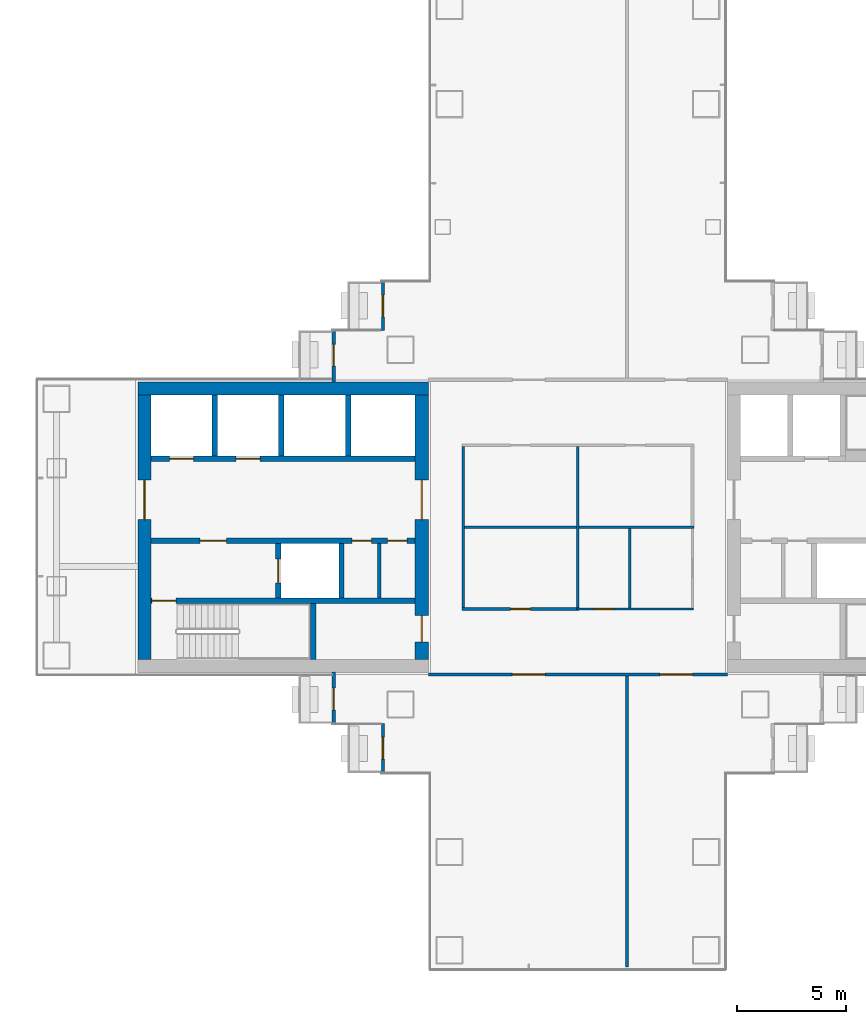
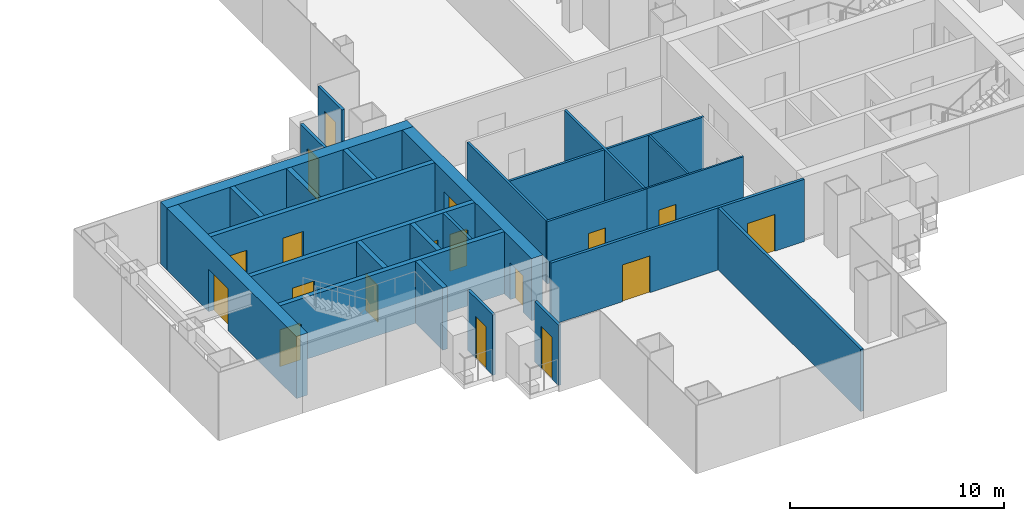
# One storey, part 13 of 19: 25 walls, 18 doors, 18 openings.
"""IFC4 building model written with IfcOpenShell, lengths in metres."""

from ifc_helpers import new_model, si_unit, direction, frame, frame_2d, origin, place, context, subcontext, project, spatial, rectangle, extrude, material, layer, layer_set, type_object, element, fill, save


model = new_model("IFC4")

# Units and contexts
model_context = context("Model", 3, precision=1e-05, world=origin(), true_north=direction((0.0, 1.0)))
body_context = subcontext(model_context, "Body", "Model", "MODEL_VIEW")
ifc_project = project(units=[si_unit("LENGTHUNIT", "METRE"), si_unit("AREAUNIT", "SQUARE_METRE"), si_unit("VOLUMEUNIT", "CUBIC_METRE"), si_unit("PLANEANGLEUNIT", "RADIAN"), si_unit("MASSUNIT", "GRAM", prefix="KILO")], contexts=[model_context])

# Site, building, storey
site_placement = place(None, origin())
site = spatial("IfcSite", under=ifc_project, at=site_placement, CompositionType="ELEMENT")
building_placement = place(site_placement, origin())
building = spatial("IfcBuilding", under=site, at=building_placement, Name="Shamsa Quay Exchange Towers", CompositionType="ELEMENT")
storey_placement = place(building_placement, frame((0.0, 0.0, 97.5)))
storey = spatial("IfcBuildingStorey", under=building, at=storey_placement, Name="L22", CompositionType="ELEMENT", Elevation=97.5)

# Wall, opening, door
ifc_material_1 = material(Name="Aluminium EN AW-6063 T6, black anodised, with black enamelled glass infill", Category="aluminium")
ifc_layer_1 = layer(ifc_material_1, 0.14990234375)
ifc_layer_set_1 = layer_set([ifc_layer_1], Name="BALCONY DOOR BAY WALL 150")
wall_type_1 = type_object("IfcWallType", Name="BALCONY DOOR BAY WALL 150", PredefinedType="SOLIDWALL", material=ifc_layer_set_1)
wall_1_placement = place(storey_placement, frame((24.824951171875, 9.0, 0.0), z_axis=(0.0, 0.0, 1.0), x_axis=(0.0, 1.0, 0.0)))
wall_1 = element("IfcWall", 1, at=wall_1_placement, inside=storey, type_object=wall_type_1, Name="Door bay T2-PKEN L22", PredefinedType="SOLIDWALL", context=body_context, shape_type="SweptSolid", body=[
    extrude(rectangle(XDim=2.25, YDim=0.14990234375, at=frame_2d((1.125, 0.0))), origin(), (0.0, 0.0, 1.0), 3.449951171875),
])
opening_1_placement = place(wall_1_placement, frame((0.625, 0.0, 0.0)))
opening_1 = element("IfcOpeningElement", 2, at=opening_1_placement, cuts=wall_1, Name="Opening XD137", PredefinedType="OPENING", context=body_context, shape_type="SweptSolid", body=[
    extrude(rectangle(XDim=1.0, YDim=2.39990234375, at=frame_2d((0.5, 1.199951171875))), frame((0.0, 0.0849609375, 0.0), z_axis=(0.0, -1.0, 0.0), x_axis=(1.0, 0.0, 0.0)), (0.0, 0.0, 1.0), 0.169921875),
])
ifc_material_2 = material(Name="Aluminium EN AW-6063 T6, black anodised, with laminated glass leaf", Category="aluminium")
door_type_1 = type_object("IfcDoorType", Name="BALCONY DOOR 1000x2400", OperationType="SINGLE_SWING_LEFT", PredefinedType="DOOR", material=ifc_material_2)
door_1_placement = place(opening_1_placement, origin())
door_1 = element("IfcDoor", 3, at=door_1_placement, inside=storey, type_object=door_type_1, Name="Balcony door T2-PKEN L22", OperationType="SINGLE_SWING_RIGHT", OverallHeight=2.39990234375, OverallWidth=1.0, PredefinedType="DOOR", context=body_context, shape_type="SweptSolid", body=[
    extrude(rectangle(XDim=1.0, YDim=2.39990234375, at=frame_2d((0.5, 1.199951171875))), frame((0.0, 0.02490234375, 0.0), z_axis=(0.0, -1.0, 0.0), x_axis=(1.0, 0.0, 0.0)), (0.0, 0.0, 1.0), 0.050048828125),
])
fill(opening_1, door_1)

wall_2_placement = place(storey_placement, frame((22.574951171875, 6.64306640625, 0.0), z_axis=(0.0, 0.0, 1.0), x_axis=(0.0, 1.0, 0.0)))
wall_2 = element("IfcWall", 4, at=wall_2_placement, inside=storey, type_object=wall_type_1, Name="Door bay T2-PKEN L22", PredefinedType="SOLIDWALL", context=body_context, shape_type="SweptSolid", body=[
    extrude(rectangle(XDim=2.35693359375, YDim=0.14990234375, at=frame_2d((1.178466796875, 0.0))), origin(), (0.0, 0.0, 1.0), 3.449951171875),
])
opening_2_placement = place(wall_2_placement, frame((0.73193359375, 0.0, 0.0)))
opening_2 = element("IfcOpeningElement", 5, at=opening_2_placement, cuts=wall_2, Name="Opening XD138", PredefinedType="OPENING", context=body_context, shape_type="SweptSolid", body=[
    extrude(rectangle(XDim=1.0, YDim=2.39990234375, at=frame_2d((0.5, 1.199951171875))), frame((0.0, 0.0849609375, 0.0), z_axis=(0.0, -1.0, 0.0), x_axis=(1.0, 0.0, 0.0)), (0.0, 0.0, 1.0), 0.169921875),
])
door_2_placement = place(opening_2_placement, origin())
door_2 = element("IfcDoor", 6, at=door_2_placement, inside=storey, type_object=door_type_1, Name="Balcony door T2-PKEN L22", OperationType="SINGLE_SWING_LEFT", OverallHeight=2.39990234375, OverallWidth=1.0, PredefinedType="DOOR", context=body_context, shape_type="SweptSolid", body=[
    extrude(rectangle(XDim=1.0, YDim=2.39990234375, at=frame_2d((0.5, 1.199951171875))), frame((0.0, 0.02490234375, 0.0), z_axis=(0.0, -1.0, 0.0), x_axis=(1.0, 0.0, 0.0)), (0.0, 0.0, 1.0), 0.050048828125),
])
fill(opening_2, door_2)

wall_3_placement = place(storey_placement, frame((22.574951171875, -9.0, 0.0), z_axis=(0.0, 0.0, 1.0), x_axis=(0.0, 1.0, 0.0)))
wall_3 = element("IfcWall", 7, at=wall_3_placement, inside=storey, type_object=wall_type_1, Name="Door bay T2-PKWN L22", PredefinedType="SOLIDWALL", context=body_context, shape_type="SweptSolid", body=[
    extrude(rectangle(XDim=2.35693359375, YDim=0.14990234375, at=frame_2d((1.178466796875, 0.0))), origin(), (0.0, 0.0, 1.0), 3.449951171875),
])
opening_3_placement = place(wall_3_placement, frame((0.625, 0.0, 0.0)))
opening_3 = element("IfcOpeningElement", 8, at=opening_3_placement, cuts=wall_3, Name="Opening XD141", PredefinedType="OPENING", context=body_context, shape_type="SweptSolid", body=[
    extrude(rectangle(XDim=1.0, YDim=2.39990234375, at=frame_2d((0.5, 1.199951171875))), frame((0.0, 0.0849609375, 0.0), z_axis=(0.0, -1.0, 0.0), x_axis=(1.0, 0.0, 0.0)), (0.0, 0.0, 1.0), 0.169921875),
])
door_3_placement = place(opening_3_placement, origin())
door_3 = element("IfcDoor", 9, at=door_3_placement, inside=storey, type_object=door_type_1, Name="Balcony door T2-PKWN L22", OperationType="SINGLE_SWING_LEFT", OverallHeight=2.39990234375, OverallWidth=1.0, PredefinedType="DOOR", context=body_context, shape_type="SweptSolid", body=[
    extrude(rectangle(XDim=1.0, YDim=2.39990234375, at=frame_2d((0.5, 1.199951171875))), frame((0.0, 0.02490234375, 0.0), z_axis=(0.0, -1.0, 0.0), x_axis=(1.0, 0.0, 0.0)), (0.0, 0.0, 1.0), 0.050048828125),
])
fill(opening_3, door_3)

wall_4_placement = place(storey_placement, frame((24.824951171875, -11.25, 0.0), z_axis=(0.0, 0.0, 1.0), x_axis=(0.0, 1.0, 0.0)))
wall_4 = element("IfcWall", 10, at=wall_4_placement, inside=storey, type_object=wall_type_1, Name="Door bay T2-PKWN L22", PredefinedType="SOLIDWALL", context=body_context, shape_type="SweptSolid", body=[
    extrude(rectangle(XDim=2.25, YDim=0.14990234375, at=frame_2d((1.125, 0.0))), origin(), (0.0, 0.0, 1.0), 3.449951171875),
])
opening_4_placement = place(wall_4_placement, frame((0.625, 0.0, 0.0)))
opening_4 = element("IfcOpeningElement", 11, at=opening_4_placement, cuts=wall_4, Name="Opening XD142", PredefinedType="OPENING", context=body_context, shape_type="SweptSolid", body=[
    extrude(rectangle(XDim=1.0, YDim=2.39990234375, at=frame_2d((0.5, 1.199951171875))), frame((0.0, 0.0849609375, 0.0), z_axis=(0.0, -1.0, 0.0), x_axis=(1.0, 0.0, 0.0)), (0.0, 0.0, 1.0), 0.169921875),
])
door_4_placement = place(opening_4_placement, origin())
door_4 = element("IfcDoor", 12, at=door_4_placement, inside=storey, type_object=door_type_1, Name="Balcony door T2-PKWN L22", OperationType="SINGLE_SWING_RIGHT", OverallHeight=2.39990234375, OverallWidth=1.0, PredefinedType="DOOR", context=body_context, shape_type="SweptSolid", body=[
    extrude(rectangle(XDim=1.0, YDim=2.39990234375, at=frame_2d((0.5, 1.199951171875))), frame((0.0, 0.02490234375, 0.0), z_axis=(0.0, -1.0, 0.0), x_axis=(1.0, 0.0, 0.0)), (0.0, 0.0, 1.0), 0.050048828125),
])
fill(opening_4, door_4)

# Wall
ifc_material_3 = material(Name="Concrete C70/85", Category="concrete")
ifc_layer_2 = layer(ifc_material_3, 0.60009765625)
ifc_layer_set_2 = layer_set([ifc_layer_2], Name="CORE WALL 600 C70/85")
wall_type_2 = type_object("IfcWallType", Name="CORE WALL 600 C70/85", PredefinedType="SHEAR", material=ifc_layer_set_2)
wall_5_placement = place(storey_placement, frame((13.60009765625, 6.35009765625, 0.0)))
element("IfcWall", 13, at=wall_5_placement, inside=storey, type_object=wall_type_2, Name="Core wall T2A-R09-PN", PredefinedType="SHEAR", context=body_context, shape_type="SweptSolid", body=[
    extrude(rectangle(XDim=13.2998046875, YDim=0.60009765625, at=frame_2d((6.64990234375, 0.0))), origin(), (0.0, 0.0, 1.0), 3.550048828125),
])

# Wall, opening, door
wall_6_placement = place(storey_placement, frame((13.89990234375, 6.050048828125, 0.0), z_axis=(0.0, 0.0, 1.0), x_axis=(0.0, -1.0, 0.0)))
wall_6 = element("IfcWall", 14, at=wall_6_placement, inside=storey, type_object=wall_type_2, Name="Core wall T2A-R09-PF", PredefinedType="SHEAR", context=body_context, shape_type="SweptSolid", body=[
    extrude(rectangle(XDim=12.10009765625, YDim=0.60009765625, at=frame_2d((6.050048828125, 0.0))), origin(), (0.0, 0.0, 1.0), 3.550048828125),
])
opening_5_placement = place(wall_6_placement, frame((3.89990234375, 0.0, 0.0)))
opening_5 = element("IfcOpeningElement", 15, at=opening_5_placement, cuts=wall_6, Name="Opening T2A-R09-LBD01", PredefinedType="OPENING", context=body_context, shape_type="SweptSolid", body=[
    extrude(rectangle(XDim=1.800048828125, YDim=2.39990234375, at=frame_2d((0.89990234375, 1.199951171875))), frame((0.0, 0.31005859375, 0.0), z_axis=(0.0, -1.0, 0.0), x_axis=(1.0, 0.0, 0.0)), (0.0, 0.0, 1.0), 0.6201171875),
])
ifc_material_4 = material(Name="Steel, fire rated", Category="steel")
door_type_2 = type_object("IfcDoorType", Name="LIFT LOBBY DOOR PAIR 1800", OperationType="DOUBLE_DOOR_SINGLE_SWING", PredefinedType="DOOR", material=ifc_material_4)
door_5_placement = place(opening_5_placement, origin())
door_5 = element("IfcDoor", 16, at=door_5_placement, inside=storey, type_object=door_type_2, Name="T2A-R09-LBD01", OperationType="DOUBLE_DOOR_SINGLE_SWING", OverallHeight=2.39990234375, OverallWidth=1.800048828125, PredefinedType="DOOR", context=body_context, shape_type="SweptSolid", body=[
    extrude(rectangle(XDim=1.800048828125, YDim=2.39990234375, at=frame_2d((0.89990234375, 1.199951171875))), frame((0.0, 0.02490234375, 0.0), z_axis=(0.0, -1.0, 0.0), x_axis=(1.0, 0.0, 0.0)), (0.0, 0.0, 1.0), 0.050048828125),
])
fill(opening_5, door_5)

# Wall, openings, doors
wall_7_placement = place(storey_placement, frame((26.60009765625, 6.050048828125, 0.0), z_axis=(0.0, 0.0, 1.0), x_axis=(0.0, -1.0, 0.0)))
wall_7 = element("IfcWall", 17, at=wall_7_placement, inside=storey, type_object=wall_type_2, Name="Core wall T2A-R09-PB", PredefinedType="SHEAR", context=body_context, shape_type="SweptSolid", body=[
    extrude(rectangle(XDim=12.10009765625, YDim=0.60009765625, at=frame_2d((6.050048828125, 0.0))), origin(), (0.0, 0.0, 1.0), 3.550048828125),
])
opening_6_placement = place(wall_7_placement, frame((10.10009765625, 0.0, 0.0)))
opening_6 = element("IfcOpeningElement", 18, at=opening_6_placement, cuts=wall_7, Name="Opening T2A-R09-RD02", PredefinedType="OPENING", context=body_context, shape_type="SweptSolid", body=[
    extrude(rectangle(XDim=1.199951171875, YDim=2.10009765625, at=frame_2d((0.60009765625, 1.050048828125))), frame((0.0, 0.31005859375, 0.0), z_axis=(0.0, -1.0, 0.0), x_axis=(1.0, 0.0, 0.0)), (0.0, 0.0, 1.0), 0.6201171875),
])
opening_7_placement = place(wall_7_placement, frame((3.89990234375, 0.0, 0.0)))
opening_7 = element("IfcOpeningElement", 19, at=opening_7_placement, cuts=wall_7, Name="Opening T2A-R09-LBD03", PredefinedType="OPENING", context=body_context, shape_type="SweptSolid", body=[
    extrude(rectangle(XDim=1.800048828125, YDim=2.39990234375, at=frame_2d((0.89990234375, 1.199951171875))), frame((0.0, 0.31005859375, 0.0), z_axis=(0.0, -1.0, 0.0), x_axis=(1.0, 0.0, 0.0)), (0.0, 0.0, 1.0), 0.6201171875),
])
door_6_placement = place(opening_7_placement, origin())
door_6 = element("IfcDoor", 20, at=door_6_placement, inside=storey, type_object=door_type_2, Name="T2A-R09-LBD03", OperationType="DOUBLE_DOOR_SINGLE_SWING", OverallHeight=2.39990234375, OverallWidth=1.800048828125, PredefinedType="DOOR", context=body_context, shape_type="SweptSolid", body=[
    extrude(rectangle(XDim=1.800048828125, YDim=2.39990234375, at=frame_2d((0.89990234375, 1.199951171875))), frame((0.0, 0.02490234375, 0.0), z_axis=(0.0, -1.0, 0.0), x_axis=(1.0, 0.0, 0.0)), (0.0, 0.0, 1.0), 0.050048828125),
])
fill(opening_7, door_6)
door_type_3 = type_object("IfcDoorType", Name="RISER ACCESS DOOR 1200", OperationType="SINGLE_SWING_LEFT", PredefinedType="DOOR", material=ifc_material_4)
door_7_placement = place(opening_6_placement, origin())
door_7 = element("IfcDoor", 21, at=door_7_placement, inside=storey, type_object=door_type_3, Name="T2A-R09-RD02", OperationType="SINGLE_SWING_RIGHT", OverallHeight=2.10009765625, OverallWidth=1.199951171875, PredefinedType="DOOR", context=body_context, shape_type="SweptSolid", body=[
    extrude(rectangle(XDim=1.199951171875, YDim=2.10009765625, at=frame_2d((0.60009765625, 1.050048828125))), frame((0.0, 0.02490234375, 0.0), z_axis=(0.0, -1.0, 0.0), x_axis=(1.0, 0.0, 0.0)), (0.0, 0.0, 1.0), 0.050048828125),
])
fill(opening_6, door_7)

# Walls
ifc_material_5 = material(Name="Gypsum board on steel studs, EI 60", Category="steel")
ifc_layer_3 = layer(ifc_material_5, 0.14990234375)
ifc_layer_set_3 = layer_set([ifc_layer_3], Name="FIRE PARTITION 150")
wall_type_3 = type_object("IfcWallType", Name="FIRE PARTITION 150", PredefinedType="PARTITIONING", material=ifc_layer_set_3)
wall_8_placement = place(storey_placement, frame((24.64990234375, -3.25, 0.0), z_axis=(0.0, 0.0, 1.0), x_axis=(0.0, 1.0, 0.0)))
element("IfcWall", 22, at=wall_8_placement, inside=storey, type_object=wall_type_3, Name="Partition T2A-R09-EC0", PredefinedType="PARTITIONING", context=body_context, shape_type="SweptSolid", body=[
    extrude(rectangle(XDim=2.5, YDim=0.14990234375, at=frame_2d((1.25, 0.0))), origin(), (0.0, 0.0, 1.0), 3.550048828125),
])
ifc_material_6 = material(Name="Laminated fire-resisting glass in a metal frame", Category="glass")
ifc_layer_4 = layer(ifc_material_6, 0.125)
ifc_layer_set_4 = layer_set([ifc_layer_4], Name="Glazed partition 125 mm EI 60")
wall_type_4 = type_object("IfcWallType", Name="Glazed partition 125 mm EI 60", PredefinedType="PARTITIONING", material=ifc_layer_set_4)
wall_9_placement = place(storey_placement, frame((28.5, 3.6875, 0.0), z_axis=(0.0, 0.0, 1.0), x_axis=(0.0, -1.0, 0.0)))
element("IfcWall", 23, at=wall_9_placement, inside=storey, type_object=wall_type_4, Name="Partition T2-R09-W01", PredefinedType="PARTITIONING", context=body_context, shape_type="SweptSolid", body=[
    extrude(rectangle(XDim=7.375, YDim=0.125, at=frame_2d((3.6875, 0.0))), origin(), (0.0, 0.0, 1.0), 3.550048828125),
])

# Wall, opening, door
wall_10_placement = place(storey_placement, frame((28.4375, -3.75, 0.0)))
wall_10 = element("IfcWall", 24, at=wall_10_placement, inside=storey, type_object=wall_type_4, Name="Partition T2-R09-W03", PredefinedType="PARTITIONING", context=body_context, shape_type="SweptSolid", body=[
    extrude(rectangle(XDim=5.375, YDim=0.125, at=frame_2d((2.6875, 0.0))), origin(), (0.0, 0.0, 1.0), 3.550048828125),
])
opening_8_placement = place(wall_10_placement, frame((2.237548828125, 0.0, 0.0)))
opening_8 = element("IfcOpeningElement", 25, at=opening_8_placement, cuts=wall_10, Name="Opening T2-R09-D05", PredefinedType="OPENING", context=body_context, shape_type="SweptSolid", body=[
    extrude(rectangle(XDim=0.89990234375, YDim=2.10009765625, at=frame_2d((0.449951171875, 1.050048828125))), frame((0.0, 0.072509765625, 0.0), z_axis=(0.0, -1.0, 0.0), x_axis=(1.0, 0.0, 0.0)), (0.0, 0.0, 1.0), 0.14501953125),
])
ifc_material_7 = material(Name="Timber door leaf in a metal frame", Category="wood")
door_type_4 = type_object("IfcDoorType", Name="Door 900x2100 FD30S", OperationType="NOTDEFINED", PredefinedType="DOOR", material=ifc_material_7)
door_8_placement = place(opening_8_placement, origin())
door_8 = element("IfcDoor", 26, at=door_8_placement, inside=storey, type_object=door_type_4, Name="Door T2-R09-D05", OperationType="SINGLE_SWING_LEFT", OverallHeight=2.10009765625, OverallWidth=0.89990234375, PredefinedType="DOOR", context=body_context, shape_type="SweptSolid", body=[
    extrude(rectangle(XDim=0.89990234375, YDim=2.10009765625, at=frame_2d((0.449951171875, 1.050048828125))), frame((0.0, 0.02490234375, 0.0), z_axis=(0.0, -1.0, 0.0), x_axis=(1.0, 0.0, 0.0)), (0.0, 0.0, 1.0), 0.050048828125),
])
fill(opening_8, door_8)

# Walls
wall_11_placement = place(storey_placement, frame((28.5625, 0.0, 0.0)))
element("IfcWall", 27, at=wall_11_placement, inside=storey, type_object=wall_type_4, Name="Partition T2-R09-W09", PredefinedType="PARTITIONING", context=body_context, shape_type="SweptSolid", body=[
    extrude(rectangle(XDim=10.5, YDim=0.125, at=frame_2d((5.25, 0.0))), origin(), (0.0, 0.0, 1.0), 3.550048828125),
])
wall_12_placement = place(storey_placement, frame((33.75, -3.6875, 0.0), z_axis=(0.0, 0.0, 1.0), x_axis=(0.0, 1.0, 0.0)))
element("IfcWall", 28, at=wall_12_placement, inside=storey, type_object=wall_type_4, Name="Partition T2-R09-W10", PredefinedType="PARTITIONING", context=body_context, shape_type="SweptSolid", body=[
    extrude(rectangle(XDim=7.375, YDim=0.125, at=frame_2d((3.6875, 0.0))), origin(), (0.0, 0.0, 1.0), 3.550048828125),
])

# Wall, opening, door
ifc_material_8 = material(Name="Gypsum board partition on metal studs")
ifc_layer_5 = layer(ifc_material_8, 0.10009765625)
ifc_layer_set_5 = layer_set([ifc_layer_5], Name="Partition 100 mm NOT RATED")
wall_type_5 = type_object("IfcWallType", Name="Partition 100 mm NOT RATED", PredefinedType="PARTITIONING", material=ifc_layer_set_5)
wall_13_placement = place(storey_placement, frame((33.6875, -3.75, 0.0)))
wall_13 = element("IfcWall", 29, at=wall_13_placement, inside=storey, type_object=wall_type_5, Name="Partition T2-R09-W06", PredefinedType="PARTITIONING", context=body_context, shape_type="SweptSolid", body=[
    extrude(rectangle(XDim=5.362548828125, YDim=0.10009765625, at=frame_2d((2.68115234375, 0.0))), origin(), (0.0, 0.0, 1.0), 3.550048828125),
])
opening_9_placement = place(wall_13_placement, frame((0.800048828125, 0.0, 0.0)))
opening_9 = element("IfcOpeningElement", 30, at=opening_9_placement, cuts=wall_13, Name="Opening T2-R09-D03", PredefinedType="OPENING", context=body_context, shape_type="SweptSolid", body=[
    extrude(rectangle(XDim=0.89990234375, YDim=2.10009765625, at=frame_2d((0.449951171875, 1.050048828125))), frame((0.0, 0.06005859375, 0.0), z_axis=(0.0, -1.0, 0.0), x_axis=(1.0, 0.0, 0.0)), (0.0, 0.0, 1.0), 0.1201171875),
])
door_type_5 = type_object("IfcDoorType", Name="Door 900x2100 NOT RATED", OperationType="NOTDEFINED", PredefinedType="DOOR", material=ifc_material_7)
door_9_placement = place(opening_9_placement, origin())
door_9 = element("IfcDoor", 31, at=door_9_placement, inside=storey, type_object=door_type_5, Name="Door T2-R09-D03", OperationType="SINGLE_SWING_RIGHT", OverallHeight=2.10009765625, OverallWidth=0.89990234375, PredefinedType="DOOR", context=body_context, shape_type="SweptSolid", body=[
    extrude(rectangle(XDim=0.89990234375, YDim=2.10009765625, at=frame_2d((0.449951171875, 1.050048828125))), frame((0.0, 0.02490234375, 0.0), z_axis=(0.0, -1.0, 0.0), x_axis=(1.0, 0.0, 0.0)), (0.0, 0.0, 1.0), 0.050048828125),
])
fill(opening_9, door_9)

# Wall
wall_14_placement = place(storey_placement, frame((36.125, -0.0625, 0.0), z_axis=(0.0, 0.0, 1.0), x_axis=(0.0, -1.0, 0.0)))
element("IfcWall", 32, at=wall_14_placement, inside=storey, type_object=wall_type_5, Name="Partition T2-R09-W11", PredefinedType="PARTITIONING", context=body_context, shape_type="SweptSolid", body=[
    extrude(rectangle(XDim=3.637451171875, YDim=0.10009765625, at=frame_2d((1.81884765625, 0.0))), origin(), (0.0, 0.0, 1.0), 3.550048828125),
])

# Wall, openings, doors
ifc_layer_6 = layer(ifc_material_8, 0.14990234375)
ifc_layer_set_6 = layer_set([ifc_layer_6], Name="Partition 150 mm EI 60")
wall_type_6 = type_object("IfcWallType", Name="Partition 150 mm EI 60", PredefinedType="PARTITIONING", material=ifc_layer_set_6)
wall_15_placement = place(storey_placement, frame((40.60009765625, -6.75, 0.0), z_axis=(0.0, 0.0, 1.0), x_axis=(-1.0, 0.0, 0.0)))
wall_15 = element("IfcWall", 33, at=wall_15_placement, inside=storey, type_object=wall_type_6, Name="Partition T2-R09-W08", PredefinedType="PARTITIONING", context=body_context, shape_type="SweptSolid", body=[
    extrude(rectangle(XDim=13.7001953125, YDim=0.14990234375, at=frame_2d((6.85009765625, 0.0))), origin(), (0.0, 0.0, 1.0), 3.550048828125),
])
opening_10_placement = place(wall_15_placement, frame((8.35009765625, 0.0, 0.0)))
opening_10 = element("IfcOpeningElement", 34, at=opening_10_placement, cuts=wall_15, Name="Opening T2-R09-D08", PredefinedType="OPENING", context=body_context, shape_type="SweptSolid", body=[
    extrude(rectangle(XDim=1.5, YDim=2.10009765625, at=frame_2d((0.75, 1.050048828125))), frame((0.0, 0.0849609375, 0.0), z_axis=(0.0, -1.0, 0.0), x_axis=(1.0, 0.0, 0.0)), (0.0, 0.0, 1.0), 0.169921875),
])
opening_11_placement = place(wall_15_placement, frame((1.60009765625, 0.0, 0.0)))
opening_11 = element("IfcOpeningElement", 35, at=opening_11_placement, cuts=wall_15, Name="Opening T2-R09-D09", PredefinedType="OPENING", context=body_context, shape_type="SweptSolid", body=[
    extrude(rectangle(XDim=1.5, YDim=2.10009765625, at=frame_2d((0.75, 1.050048828125))), frame((0.0, 0.0849609375, 0.0), z_axis=(0.0, -1.0, 0.0), x_axis=(1.0, 0.0, 0.0)), (0.0, 0.0, 1.0), 0.169921875),
])
door_type_6 = type_object("IfcDoorType", Name="Door 1500x2100 FD30S pair", OperationType="NOTDEFINED", PredefinedType="DOOR", material=ifc_material_7)
door_10_placement = place(opening_10_placement, origin())
door_10 = element("IfcDoor", 36, at=door_10_placement, inside=storey, type_object=door_type_6, Name="Door T2-R09-D08", OperationType="DOUBLE_DOOR_SINGLE_SWING", OverallHeight=2.10009765625, OverallWidth=1.5, PredefinedType="DOOR", context=body_context, shape_type="SweptSolid", body=[
    extrude(rectangle(XDim=1.5, YDim=2.10009765625, at=frame_2d((0.75, 1.050048828125))), frame((0.0, 0.02490234375, 0.0), z_axis=(0.0, -1.0, 0.0), x_axis=(1.0, 0.0, 0.0)), (0.0, 0.0, 1.0), 0.050048828125),
])
fill(opening_10, door_10)
door_11_placement = place(opening_11_placement, origin())
door_11 = element("IfcDoor", 37, at=door_11_placement, inside=storey, type_object=door_type_6, Name="Door T2-R09-D09", OperationType="DOUBLE_DOOR_SINGLE_SWING", OverallHeight=2.10009765625, OverallWidth=1.5, PredefinedType="DOOR", context=body_context, shape_type="SweptSolid", body=[
    extrude(rectangle(XDim=1.5, YDim=2.10009765625, at=frame_2d((0.75, 1.050048828125))), frame((0.0, 0.02490234375, 0.0), z_axis=(0.0, -1.0, 0.0), x_axis=(1.0, 0.0, 0.0)), (0.0, 0.0, 1.0), 0.050048828125),
])
fill(opening_11, door_11)

# Wall
wall_16_placement = place(storey_placement, frame((36.0, -6.824951171875, 0.0), z_axis=(0.0, 0.0, 1.0), x_axis=(0.0, -1.0, 0.0)))
element("IfcWall", 38, at=wall_16_placement, inside=storey, type_object=wall_type_6, Name="Partition T2-R09-W12", PredefinedType="PARTITIONING", context=body_context, shape_type="SweptSolid", body=[
    extrude(rectangle(XDim=13.330078125, YDim=0.14990234375, at=frame_2d((6.6650390625, 0.0))), origin(), (0.0, 0.0, 1.0), 3.550048828125),
])

# Wall, opening, door
ifc_material_9 = material(Name="Concrete C50/60", Category="concrete")
ifc_layer_7 = layer(ifc_material_9, 0.25)
ifc_layer_set_7 = layer_set([ifc_layer_7], Name="SHAFT WALL 250 C50/60")
wall_type_7 = type_object("IfcWallType", Name="SHAFT WALL 250 C50/60", PredefinedType="SHEAR", material=ifc_layer_set_7)
wall_17_placement = place(storey_placement, frame((26.300048828125, -3.375, 0.0), z_axis=(0.0, 0.0, 1.0), x_axis=(-1.0, 0.0, 0.0)))
wall_17 = element("IfcWall", 39, at=wall_17_placement, inside=storey, type_object=wall_type_7, Name="Shaft wall T2A-R09-STL", PredefinedType="SHEAR", context=body_context, shape_type="SweptSolid", body=[
    extrude(rectangle(XDim=12.10009765625, YDim=0.25, at=frame_2d((6.050048828125, 0.0))), origin(), (0.0, 0.0, 1.0), 3.550048828125),
])
opening_12_placement = place(wall_17_placement, frame((10.949951171875, 0.0, 0.0)))
opening_12 = element("IfcOpeningElement", 40, at=opening_12_placement, cuts=wall_17, Name="Opening T2A-R09-SD04", PredefinedType="OPENING", context=body_context, shape_type="SweptSolid", body=[
    extrude(rectangle(XDim=1.10009765625, YDim=2.10009765625, at=frame_2d((0.550048828125, 1.050048828125))), frame((0.0, 0.135009765625, 0.0), z_axis=(0.0, -1.0, 0.0), x_axis=(1.0, 0.0, 0.0)), (0.0, 0.0, 1.0), 0.27001953125),
])
door_type_7 = type_object("IfcDoorType", Name="STAIR DOOR 1100", OperationType="SINGLE_SWING_LEFT", PredefinedType="DOOR", material=ifc_material_4)
door_12_placement = place(opening_12_placement, origin())
door_12 = element("IfcDoor", 41, at=door_12_placement, inside=storey, type_object=door_type_7, Name="T2A-R09-SD04", OperationType="SINGLE_SWING_RIGHT", OverallHeight=2.10009765625, OverallWidth=1.10009765625, PredefinedType="DOOR", context=body_context, shape_type="SweptSolid", body=[
    extrude(rectangle(XDim=1.10009765625, YDim=2.10009765625, at=frame_2d((0.550048828125, 1.050048828125))), frame((0.0, 0.02490234375, 0.0), z_axis=(0.0, -1.0, 0.0), x_axis=(1.0, 0.0, 0.0)), (0.0, 0.0, 1.0), 0.050048828125),
])
fill(opening_12, door_12)

# Wall
wall_18_placement = place(storey_placement, frame((21.625, -6.050048828125, 0.0), z_axis=(0.0, 0.0, 1.0), x_axis=(0.0, 1.0, 0.0)))
element("IfcWall", 42, at=wall_18_placement, inside=storey, type_object=wall_type_7, Name="Shaft wall T2A-R09-STF", PredefinedType="SHEAR", context=body_context, shape_type="SweptSolid", body=[
    extrude(rectangle(XDim=2.550048828125, YDim=0.25, at=frame_2d((1.27490234375, 0.0))), origin(), (0.0, 0.0, 1.0), 3.550048828125),
])

# Wall, openings, doors
wall_19_placement = place(storey_placement, frame((26.300048828125, -0.625, 0.0), z_axis=(0.0, 0.0, 1.0), x_axis=(-1.0, 0.0, 0.0)))
wall_19 = element("IfcWall", 43, at=wall_19_placement, inside=storey, type_object=wall_type_7, Name="Shaft wall T2A-R09-B", PredefinedType="SHEAR", context=body_context, shape_type="SweptSolid", body=[
    extrude(rectangle(XDim=12.10009765625, YDim=0.25, at=frame_2d((6.050048828125, 0.0))), origin(), (0.0, 0.0, 1.0), 3.550048828125),
])
opening_13_placement = place(wall_19_placement, frame((8.64990234375, 0.0, 0.0)))
opening_13 = element("IfcOpeningElement", 44, at=opening_13_placement, cuts=wall_19, Name="Opening T2A-R09-FD05", PredefinedType="OPENING", context=body_context, shape_type="SweptSolid", body=[
    extrude(rectangle(XDim=1.199951171875, YDim=2.10009765625, at=frame_2d((0.60009765625, 1.050048828125))), frame((0.0, 0.135009765625, 0.0), z_axis=(0.0, -1.0, 0.0), x_axis=(1.0, 0.0, 0.0)), (0.0, 0.0, 1.0), 0.27001953125),
])
opening_14_placement = place(wall_19_placement, frame((2.0, 0.0, 0.0)))
opening_14 = element("IfcOpeningElement", 45, at=opening_14_placement, cuts=wall_19, Name="Opening T2A-R09-SV06", PredefinedType="OPENING", context=body_context, shape_type="SweptSolid", body=[
    extrude(rectangle(XDim=0.89990234375, YDim=2.10009765625, at=frame_2d((0.449951171875, 1.050048828125))), frame((0.0, 0.135009765625, 0.0), z_axis=(0.0, -1.0, 0.0), x_axis=(1.0, 0.0, 0.0)), (0.0, 0.0, 1.0), 0.27001953125),
])
opening_15_placement = place(wall_19_placement, frame((0.375, 0.0, 0.0)))
opening_15 = element("IfcOpeningElement", 46, at=opening_15_placement, cuts=wall_19, Name="Opening T2A-R09-SV07", PredefinedType="OPENING", context=body_context, shape_type="SweptSolid", body=[
    extrude(rectangle(XDim=0.89990234375, YDim=2.10009765625, at=frame_2d((0.449951171875, 1.050048828125))), frame((0.0, 0.135009765625, 0.0), z_axis=(0.0, -1.0, 0.0), x_axis=(1.0, 0.0, 0.0)), (0.0, 0.0, 1.0), 0.27001953125),
])
door_type_8 = type_object("IfcDoorType", Name="FIRE SERVICE LOBBY DOOR 1200", OperationType="SINGLE_SWING_LEFT", PredefinedType="DOOR", material=ifc_material_4)
door_13_placement = place(opening_13_placement, origin())
door_13 = element("IfcDoor", 47, at=door_13_placement, inside=storey, type_object=door_type_8, Name="T2A-R09-FD05", OperationType="SINGLE_SWING_RIGHT", OverallHeight=2.10009765625, OverallWidth=1.199951171875, PredefinedType="DOOR", context=body_context, shape_type="SweptSolid", body=[
    extrude(rectangle(XDim=1.199951171875, YDim=2.10009765625, at=frame_2d((0.60009765625, 1.050048828125))), frame((0.0, 0.02490234375, 0.0), z_axis=(0.0, -1.0, 0.0), x_axis=(1.0, 0.0, 0.0)), (0.0, 0.0, 1.0), 0.050048828125),
])
fill(opening_13, door_13)
door_type_9 = type_object("IfcDoorType", Name="SERVICE ROOM DOOR 900", OperationType="SINGLE_SWING_LEFT", PredefinedType="DOOR", material=ifc_material_4)
door_14_placement = place(opening_14_placement, origin())
door_14 = element("IfcDoor", 48, at=door_14_placement, inside=storey, type_object=door_type_9, Name="T2A-R09-SV06", OperationType="SINGLE_SWING_LEFT", OverallHeight=2.10009765625, OverallWidth=0.89990234375, PredefinedType="DOOR", context=body_context, shape_type="SweptSolid", body=[
    extrude(rectangle(XDim=0.89990234375, YDim=2.10009765625, at=frame_2d((0.449951171875, 1.050048828125))), frame((0.0, 0.02490234375, 0.0), z_axis=(0.0, -1.0, 0.0), x_axis=(1.0, 0.0, 0.0)), (0.0, 0.0, 1.0), 0.050048828125),
])
fill(opening_14, door_14)
door_15_placement = place(opening_15_placement, origin())
door_15 = element("IfcDoor", 49, at=door_15_placement, inside=storey, type_object=door_type_9, Name="T2A-R09-SV07", OperationType="SINGLE_SWING_LEFT", OverallHeight=2.10009765625, OverallWidth=0.89990234375, PredefinedType="DOOR", context=body_context, shape_type="SweptSolid", body=[
    extrude(rectangle(XDim=0.89990234375, YDim=2.10009765625, at=frame_2d((0.449951171875, 1.050048828125))), frame((0.0, 0.02490234375, 0.0), z_axis=(0.0, -1.0, 0.0), x_axis=(1.0, 0.0, 0.0)), (0.0, 0.0, 1.0), 0.050048828125),
])
fill(opening_15, door_15)

# Wall, opening, door
wall_20_placement = place(storey_placement, frame((20.02490234375, -3.25, 0.0), z_axis=(0.0, 0.0, 1.0), x_axis=(0.0, 1.0, 0.0)))
wall_20 = element("IfcWall", 50, at=wall_20_placement, inside=storey, type_object=wall_type_7, Name="Shaft wall T2A-R09-FFF", PredefinedType="SHEAR", context=body_context, shape_type="SweptSolid", body=[
    extrude(rectangle(XDim=2.5, YDim=0.25, at=frame_2d((1.25, 0.0))), origin(), (0.0, 0.0, 1.0), 3.550048828125),
])
opening_16_placement = place(wall_20_placement, frame((0.699951171875, 0.0, 0.0)))
opening_16 = element("IfcOpeningElement", 51, at=opening_16_placement, cuts=wall_20, Name="Opening T2A-R09-LDF08", PredefinedType="OPENING", context=body_context, shape_type="SweptSolid", body=[
    extrude(rectangle(XDim=1.10009765625, YDim=2.10009765625, at=frame_2d((0.550048828125, 1.050048828125))), frame((0.0, 0.135009765625, 0.0), z_axis=(0.0, -1.0, 0.0), x_axis=(1.0, 0.0, 0.0)), (0.0, 0.0, 1.0), 0.27001953125),
])
door_type_10 = type_object("IfcDoorType", Name="FIRE SERVICE LANDING DOOR 1100", OperationType="SLIDING_TO_LEFT", PredefinedType="DOOR", material=ifc_material_4)
door_16_placement = place(opening_16_placement, origin())
door_16 = element("IfcDoor", 52, at=door_16_placement, inside=storey, type_object=door_type_10, Name="T2A-R09-LDF08", OperationType="SLIDING_TO_LEFT", OverallHeight=2.10009765625, OverallWidth=1.10009765625, PredefinedType="DOOR", context=body_context, shape_type="SweptSolid", body=[
    extrude(rectangle(XDim=1.10009765625, YDim=2.10009765625, at=frame_2d((0.550048828125, 1.050048828125))), frame((0.0, 0.02490234375, 0.0), z_axis=(0.0, -1.0, 0.0), x_axis=(1.0, 0.0, 0.0)), (0.0, 0.0, 1.0), 0.050048828125),
])
fill(opening_16, door_16)

# Wall
wall_21_placement = place(storey_placement, frame((22.925048828125, -3.25, 0.0), z_axis=(0.0, 0.0, 1.0), x_axis=(0.0, 1.0, 0.0)))
element("IfcWall", 53, at=wall_21_placement, inside=storey, type_object=wall_type_7, Name="Shaft wall T2A-R09-FFB", PredefinedType="SHEAR", context=body_context, shape_type="SweptSolid", body=[
    extrude(rectangle(XDim=2.5, YDim=0.25, at=frame_2d((1.25, 0.0))), origin(), (0.0, 0.0, 1.0), 3.550048828125),
])

# Wall, openings, doors
wall_22_placement = place(storey_placement, frame((14.199951171875, 3.125, 0.0)))
wall_22 = element("IfcWall", 54, at=wall_22_placement, inside=storey, type_object=wall_type_7, Name="Shaft wall T2A-R09-N", PredefinedType="SHEAR", context=body_context, shape_type="SweptSolid", body=[
    extrude(rectangle(XDim=12.10009765625, YDim=0.25, at=frame_2d((6.050048828125, 0.0))), origin(), (0.0, 0.0, 1.0), 3.550048828125),
])
opening_17_placement = place(wall_22_placement, frame((0.85009765625, 0.0, 0.0)))
opening_17 = element("IfcOpeningElement", 55, at=opening_17_placement, cuts=wall_22, Name="Opening T2A-R09-LD09", PredefinedType="OPENING", context=body_context, shape_type="SweptSolid", body=[
    extrude(rectangle(XDim=1.10009765625, YDim=2.10009765625, at=frame_2d((0.550048828125, 1.050048828125))), frame((0.0, 0.135009765625, 0.0), z_axis=(0.0, -1.0, 0.0), x_axis=(1.0, 0.0, 0.0)), (0.0, 0.0, 1.0), 0.27001953125),
])
opening_18_placement = place(wall_22_placement, frame((3.89990234375, 0.0, 0.0)))
opening_18 = element("IfcOpeningElement", 56, at=opening_18_placement, cuts=wall_22, Name="Opening T2A-R09-LD10", PredefinedType="OPENING", context=body_context, shape_type="SweptSolid", body=[
    extrude(rectangle(XDim=1.10009765625, YDim=2.10009765625, at=frame_2d((0.550048828125, 1.050048828125))), frame((0.0, 0.135009765625, 0.0), z_axis=(0.0, -1.0, 0.0), x_axis=(1.0, 0.0, 0.0)), (0.0, 0.0, 1.0), 0.27001953125),
])
door_type_11 = type_object("IfcDoorType", Name="LANDING DOOR 1100", OperationType="SLIDING_TO_LEFT", PredefinedType="DOOR", material=ifc_material_4)
door_17_placement = place(opening_17_placement, origin())
door_17 = element("IfcDoor", 57, at=door_17_placement, inside=storey, type_object=door_type_11, Name="T2A-R09-LD09", OperationType="SLIDING_TO_LEFT", OverallHeight=2.10009765625, OverallWidth=1.10009765625, PredefinedType="DOOR", context=body_context, shape_type="SweptSolid", body=[
    extrude(rectangle(XDim=1.10009765625, YDim=2.10009765625, at=frame_2d((0.550048828125, 1.050048828125))), frame((0.0, 0.02490234375, 0.0), z_axis=(0.0, -1.0, 0.0), x_axis=(1.0, 0.0, 0.0)), (0.0, 0.0, 1.0), 0.050048828125),
])
fill(opening_17, door_17)
door_18_placement = place(opening_18_placement, origin())
door_18 = element("IfcDoor", 58, at=door_18_placement, inside=storey, type_object=door_type_11, Name="T2A-R09-LD10", OperationType="SLIDING_TO_LEFT", OverallHeight=2.10009765625, OverallWidth=1.10009765625, PredefinedType="DOOR", context=body_context, shape_type="SweptSolid", body=[
    extrude(rectangle(XDim=1.10009765625, YDim=2.10009765625, at=frame_2d((0.550048828125, 1.050048828125))), frame((0.0, 0.02490234375, 0.0), z_axis=(0.0, -1.0, 0.0), x_axis=(1.0, 0.0, 0.0)), (0.0, 0.0, 1.0), 0.050048828125),
])
fill(opening_18, door_18)

# Walls
for number, where, z_axis, x_axis, name in (
    (59, (17.125, 3.25, 0.0), (0.0, 0.0, 1.0), (0.0, 1.0, 0.0), "Shaft wall T2A-R09-D0"),
    (60, (20.175048828125, 3.25, 0.0), (0.0, 0.0, 1.0), (0.0, 1.0, 0.0), "Shaft wall T2A-R09-D1"),
    (61, (23.22509765625, 3.25, 0.0), (0.0, 0.0, 1.0), (0.0, 1.0, 0.0), "Shaft wall T2A-R09-D2"),
):
    element("IfcWall", number, at=place(storey_placement, frame(where, z_axis=z_axis, x_axis=x_axis)), inside=storey, type_object=wall_type_7, Name=name, PredefinedType="SHEAR", context=body_context, shape_type="SweptSolid", body=[
        extrude(rectangle(XDim=2.800048828125, YDim=0.25, at=frame_2d((1.39990234375, 0.0))), origin(), (0.0, 0.0, 1.0), 3.550048828125),
    ])

save(model, "model.ifc")
